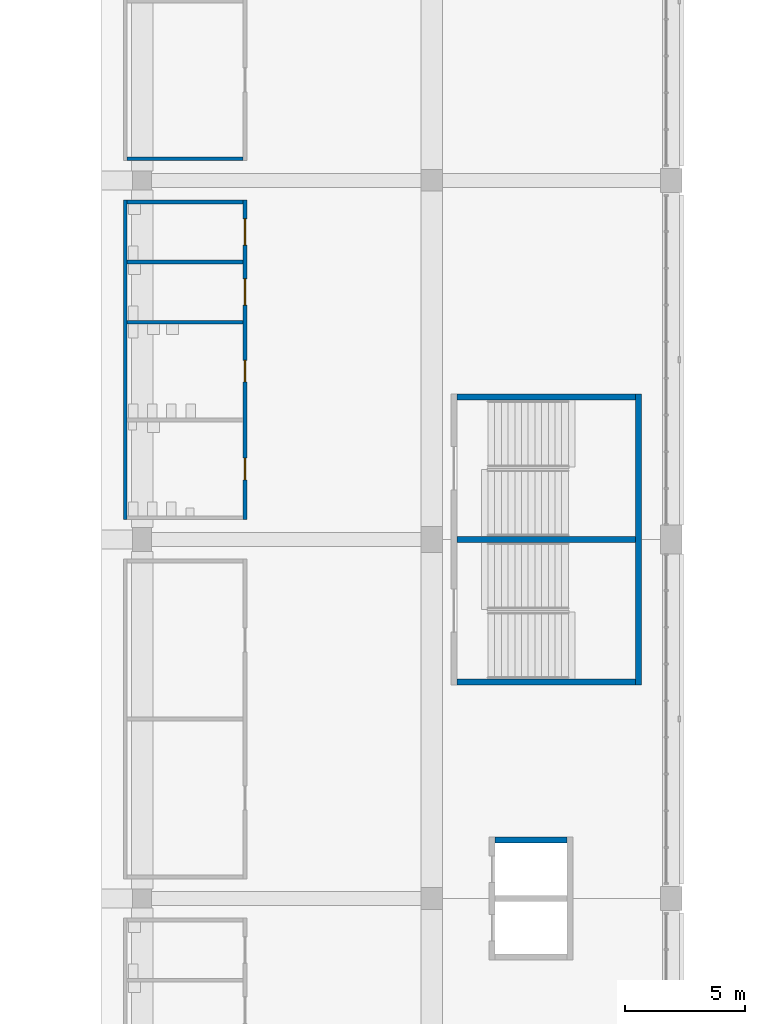
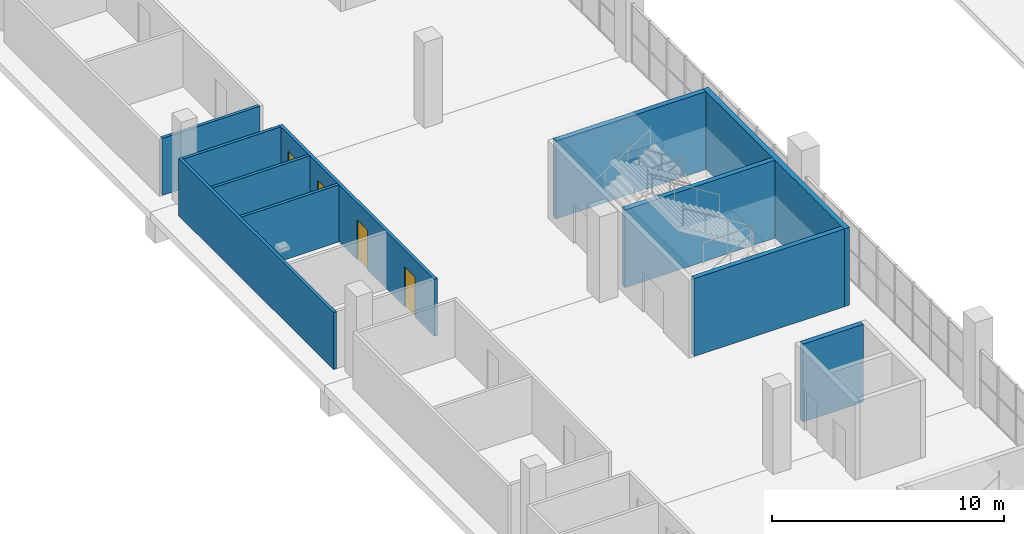
# One storey, part 83 of 199: 11 walls, 4 doors, 4 openings.
"""IFC4 building model written with IfcOpenShell, lengths in metres."""

from ifc_helpers import new_model, si_unit, direction, frame, frame_2d, origin, place, context, subcontext, project, spatial, rectangle, extrude, material, layer, layer_set, type_object, element, fill, save


model = new_model("IFC4")

# Units and contexts
model_context = context("Model", 3, precision=1e-05, world=origin(), true_north=direction((0.0, 1.0)))
body_context = subcontext(model_context, "Body", "Model", "MODEL_VIEW")
ifc_project = project(units=[si_unit("LENGTHUNIT", "METRE"), si_unit("AREAUNIT", "SQUARE_METRE"), si_unit("VOLUMEUNIT", "CUBIC_METRE"), si_unit("PLANEANGLEUNIT", "RADIAN"), si_unit("MASSUNIT", "GRAM", prefix="KILO")], contexts=[model_context])

# Site, building, storey
site_placement = place(None, origin())
site = spatial("IfcSite", under=ifc_project, at=site_placement, CompositionType="ELEMENT")
building_placement = place(site_placement, origin())
building = spatial("IfcBuilding", under=site, at=building_placement, Name="Ogive Plaza Stadium", CompositionType="ELEMENT")
storey_placement = place(building_placement, frame((0.0, 0.0, 4.5)))
storey = spatial("IfcBuildingStorey", under=building, at=storey_placement, Name="L01", CompositionType="ELEMENT", Elevation=4.5)

# Walls
ifc_material_1 = material(Name="Masonry blockwork", Category="masonry")
ifc_layer_1 = layer(ifc_material_1, 0.14990234375)
ifc_layer_set_1 = layer_set([ifc_layer_1], Name="Blockwork wall 150")
wall_type_1 = type_object("IfcWallType", Name="Blockwork wall 150", PredefinedType="SOLIDWALL", material=ifc_layer_set_1)
wall_1_placement = place(storey_placement, frame((61.27490234375, 23.39990234375, 0.0), z_axis=(0.0, 0.0, 1.0), x_axis=(1.0, 0.0, 0.0)))
element("IfcWall", 1, at=wall_1_placement, inside=storey, type_object=wall_type_1, Name="Wall L01 B02", PredefinedType="SOLIDWALL", context=body_context, shape_type="SweptSolid", body=[
    extrude(rectangle(XDim=4.85009765625, YDim=0.14990234375, at=frame_2d((2.425048828125, 0.0))), origin(), (0.0, 0.0, 1.0), 3.0),
])
ifc_material_2 = material(Name="Concrete C40/50", Category="concrete")
ifc_layer_2 = layer(ifc_material_2, 0.25)
ifc_layer_set_2 = layer_set([ifc_layer_2], Name="Concrete C40/50")
wall_type_2 = type_object("IfcWallType", Name="Core wall 250", PredefinedType="SHEAR", material=ifc_layer_set_2)
wall_2_placement = place(storey_placement, frame((82.635009765625, 1.425048828125, 0.0), z_axis=(0.0, 0.0, 1.0), x_axis=(0.0, 1.0, 0.0)))
element("IfcWall", 2, at=wall_2_placement, inside=storey, type_object=wall_type_2, Name="Stair core R04 outer wall", PredefinedType="SHEAR", context=body_context, shape_type="SweptSolid", body=[
    extrude(rectangle(XDim=12.14990234375, YDim=0.25, at=frame_2d((6.074951171875, 0.0))), origin(), (0.0, 0.0, 1.0), 4.090087890625),
])
for number, where, z_axis, x_axis, name in (
    (3, (75.050048828125, 1.550048828125, 0.0), (0.0, 0.0, 1.0), (1.0, 0.0, 0.0), "Stair core R04 side wall"),
    (4, (75.050048828125, 13.449951171875, 0.0), (0.0, 0.0, 1.0), (1.0, 0.0, 0.0), "Stair core R04 side wall"),
    (5, (75.050048828125, 7.5, 0.0), (0.0, 0.0, 1.0), (1.0, 0.0, 0.0), "Stair core R04 centre wall"),
):
    element("IfcWall", number, at=place(storey_placement, frame(where, z_axis=z_axis, x_axis=x_axis)), inside=storey, type_object=wall_type_2, Name=name, PredefinedType="SHEAR", context=body_context, shape_type="SweptSolid", body=[
        extrude(rectangle(XDim=7.4599609375, YDim=0.25, at=frame_2d((3.72998046875, 0.0))), origin(), (0.0, 0.0, 1.0), 4.090087890625),
    ])
wall_3_placement = place(storey_placement, frame((76.64990234375, -5.050048828125, 0.0), z_axis=(0.0, 0.0, 1.0), x_axis=(1.0, 0.0, 0.0)))
element("IfcWall", 6, at=wall_3_placement, inside=storey, type_object=wall_type_2, Name="Lift core LP05 side wall", PredefinedType="SHEAR", context=body_context, shape_type="SweptSolid", body=[
    extrude(rectangle(XDim=3.0, YDim=0.25, at=frame_2d((1.5, 0.0))), origin(), (0.0, 0.0, 1.0), 4.090087890625),
])
ifc_material_3 = material(Name="Gypsum board partition", Category="gypsum")
ifc_layer_3 = layer(ifc_material_3, 0.14990234375)
ifc_layer_set_3 = layer_set([ifc_layer_3], Name="Partition 150")
wall_type_3 = type_object("IfcWallType", Name="Partition 150", PredefinedType="PARTITIONING", material=ifc_layer_set_3)
wall_4_placement = place(storey_placement, frame((61.199951171875, 8.324951171875, 0.0), z_axis=(0.0, 0.0, 1.0), x_axis=(0.0, 1.0, 0.0)))
element("IfcWall", 7, at=wall_4_placement, inside=storey, type_object=wall_type_3, Name="Wall L01 B03", PredefinedType="PARTITIONING", context=body_context, shape_type="SweptSolid", body=[
    extrude(rectangle(XDim=13.35009765625, YDim=0.14990234375, at=frame_2d((6.675048828125, 0.0))), origin(), (0.0, 0.0, 1.0), 3.0),
])

# Wall, openings, doors
wall_5_placement = place(storey_placement, frame((66.199951171875, 8.324951171875, 0.0), z_axis=(0.0, 0.0, 1.0), x_axis=(0.0, 1.0, 0.0)))
wall_5 = element("IfcWall", 8, at=wall_5_placement, inside=storey, type_object=wall_type_3, Name="Wall L01 B03", PredefinedType="PARTITIONING", context=body_context, shape_type="SweptSolid", body=[
    extrude(rectangle(XDim=13.35009765625, YDim=0.14990234375, at=frame_2d((6.675048828125, 0.0))), origin(), (0.0, 0.0, 1.0), 3.0),
])
opening_1_placement = place(wall_5_placement, frame((1.6708984375, 0.0, 0.0)))
opening_1 = element("IfcOpeningElement", 9, at=opening_1_placement, cuts=wall_5, Name="Opening D0475", PredefinedType="OPENING", context=body_context, shape_type="SweptSolid", body=[
    extrude(rectangle(XDim=0.89990234375, YDim=2.10009765625, at=frame_2d((0.449951171875, 1.050048828125))), frame((0.0, 0.074951171875, 0.0), z_axis=(0.0, -1.0, 0.0), x_axis=(1.0, 0.0, 0.0)), (0.0, 0.0, 1.0), 0.14990234375),
])
opening_2_placement = place(wall_5_placement, frame((5.762939453125, 0.0, 0.0)))
opening_2 = element("IfcOpeningElement", 10, at=opening_2_placement, cuts=wall_5, Name="Opening D0476", PredefinedType="OPENING", context=body_context, shape_type="SweptSolid", body=[
    extrude(rectangle(XDim=0.89990234375, YDim=2.10009765625, at=frame_2d((0.449951171875, 1.050048828125))), frame((0.0, 0.074951171875, 0.0), z_axis=(0.0, -1.0, 0.0), x_axis=(1.0, 0.0, 0.0)), (0.0, 0.0, 1.0), 0.14990234375),
])
opening_3_placement = place(wall_5_placement, frame((8.962890625, 0.0, 0.0)))
opening_3 = element("IfcOpeningElement", 11, at=opening_3_placement, cuts=wall_5, Name="Opening D0477", PredefinedType="OPENING", context=body_context, shape_type="SweptSolid", body=[
    extrude(rectangle(XDim=1.10009765625, YDim=2.10009765625, at=frame_2d((0.550048828125, 1.050048828125))), frame((0.0, 0.074951171875, 0.0), z_axis=(0.0, -1.0, 0.0), x_axis=(1.0, 0.0, 0.0)), (0.0, 0.0, 1.0), 0.14990234375),
])
opening_4_placement = place(wall_5_placement, frame((11.470947265625, 0.0, 0.0)))
opening_4 = element("IfcOpeningElement", 12, at=opening_4_placement, cuts=wall_5, Name="Opening D0478", PredefinedType="OPENING", context=body_context, shape_type="SweptSolid", body=[
    extrude(rectangle(XDim=1.10009765625, YDim=2.10009765625, at=frame_2d((0.550048828125, 1.050048828125))), frame((0.0, 0.074951171875, 0.0), z_axis=(0.0, -1.0, 0.0), x_axis=(1.0, 0.0, 0.0)), (0.0, 0.0, 1.0), 0.14990234375),
])
ifc_material_4 = material(Name="Steel ASTM A572 Grade 50", Category="steel")
door_type_1 = type_object("IfcDoorType", Name="Accessible door 1100 x 2100", OperationType="SINGLE_SWING_LEFT", PredefinedType="DOOR", material=ifc_material_4)
door_1_placement = place(opening_3_placement, origin())
door_1 = element("IfcDoor", 13, at=door_1_placement, inside=storey, type_object=door_type_1, Name="Accessible WC B03 door", OperationType="SINGLE_SWING_LEFT", OverallHeight=2.10009765625, OverallWidth=1.10009765625, PredefinedType="DOOR", context=body_context, shape_type="SweptSolid", body=[
    extrude(rectangle(XDim=1.10009765625, YDim=2.10009765625, at=frame_2d((0.550048828125, 1.050048828125))), frame((0.0, 0.02490234375, 0.0), z_axis=(0.0, -1.0, 0.0), x_axis=(1.0, 0.0, 0.0)), (0.0, 0.0, 1.0), 0.050048828125),
])
fill(opening_3, door_1)
door_2_placement = place(opening_4_placement, origin())
door_2 = element("IfcDoor", 14, at=door_2_placement, inside=storey, type_object=door_type_1, Name="Family WC B03 door", OperationType="SINGLE_SWING_RIGHT", OverallHeight=2.10009765625, OverallWidth=1.10009765625, PredefinedType="DOOR", context=body_context, shape_type="SweptSolid", body=[
    extrude(rectangle(XDim=1.10009765625, YDim=2.10009765625, at=frame_2d((0.550048828125, 1.050048828125))), frame((0.0, 0.02490234375, 0.0), z_axis=(0.0, -1.0, 0.0), x_axis=(1.0, 0.0, 0.0)), (0.0, 0.0, 1.0), 0.050048828125),
])
fill(opening_4, door_2)
ifc_material_5 = material(Name="Steel ASTM A572 Grade 50", Category="steel")
door_type_2 = type_object("IfcDoorType", Name="Door 900 x 2100", OperationType="SINGLE_SWING_LEFT", PredefinedType="DOOR", material=ifc_material_5)
door_3_placement = place(opening_1_placement, origin())
door_3 = element("IfcDoor", 15, at=door_3_placement, inside=storey, type_object=door_type_2, Name="Men's Toilet B03 door", OperationType="SINGLE_SWING_LEFT", OverallHeight=2.10009765625, OverallWidth=0.89990234375, PredefinedType="DOOR", context=body_context, shape_type="SweptSolid", body=[
    extrude(rectangle(XDim=0.89990234375, YDim=2.10009765625, at=frame_2d((0.449951171875, 1.050048828125))), frame((0.0, 0.02490234375, 0.0), z_axis=(0.0, -1.0, 0.0), x_axis=(1.0, 0.0, 0.0)), (0.0, 0.0, 1.0), 0.050048828125),
])
fill(opening_1, door_3)
door_4_placement = place(opening_2_placement, origin())
door_4 = element("IfcDoor", 16, at=door_4_placement, inside=storey, type_object=door_type_2, Name="Women's Toilet B03 door", OperationType="SINGLE_SWING_RIGHT", OverallHeight=2.10009765625, OverallWidth=0.89990234375, PredefinedType="DOOR", context=body_context, shape_type="SweptSolid", body=[
    extrude(rectangle(XDim=0.89990234375, YDim=2.10009765625, at=frame_2d((0.449951171875, 1.050048828125))), frame((0.0, 0.02490234375, 0.0), z_axis=(0.0, -1.0, 0.0), x_axis=(1.0, 0.0, 0.0)), (0.0, 0.0, 1.0), 0.050048828125),
])
fill(opening_2, door_4)

# Walls
for number, where, z_axis, x_axis, name in (
    (17, (61.27490234375, 16.583984375, 0.0), (0.0, 0.0, 1.0), (1.0, 0.0, 0.0), "Wall L01 B03"),
    (18, (61.27490234375, 19.092041015625, 0.0), (0.0, 0.0, 1.0), (1.0, 0.0, 0.0), "Wall L01 B03"),
    (19, (61.27490234375, 21.60009765625, 0.0), (0.0, 0.0, 1.0), (1.0, 0.0, 0.0), "Wall L01 B03"),
):
    element("IfcWall", number, at=place(storey_placement, frame(where, z_axis=z_axis, x_axis=x_axis)), inside=storey, type_object=wall_type_3, Name=name, PredefinedType="PARTITIONING", context=body_context, shape_type="SweptSolid", body=[
        extrude(rectangle(XDim=4.85009765625, YDim=0.14990234375, at=frame_2d((2.425048828125, 0.0))), origin(), (0.0, 0.0, 1.0), 3.0),
    ])

save(model, "model.ifc")
